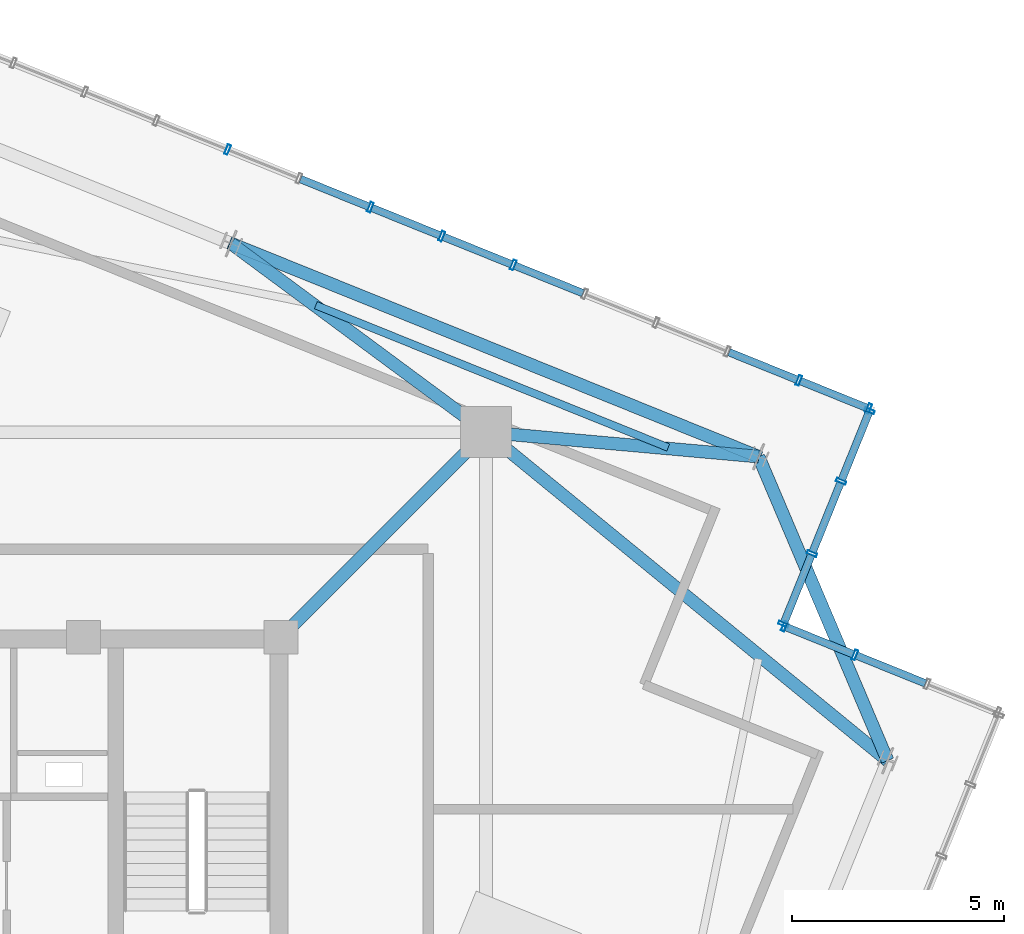
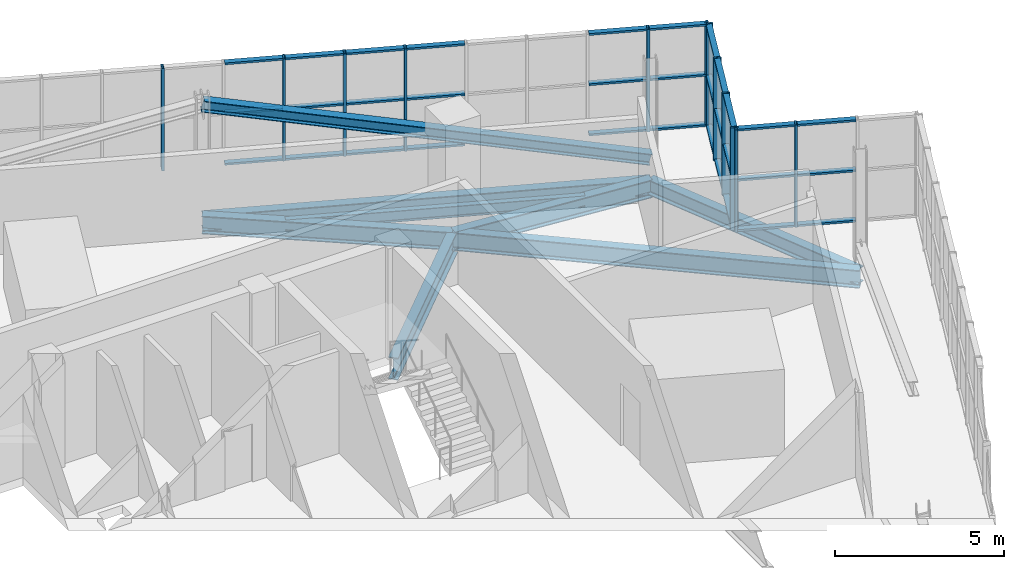
# One storey, part 16 of 26: 46 members, 7 beams, 3 elements without a shape of their own.
"""IFC4 building model written with IfcOpenShell, lengths in metres."""

from ifc_helpers import new_model, si_unit, direction, frame, origin, origin_2d, place, context, subcontext, project, spatial, hollow_rectangle, i_section, extrude, source, transform, mapped, material, layer, layer_set, material_profile, profile_set, type_object, element, aggregate, save


model = new_model("IFC4")

# Units and contexts
model_context = context("Model", 3, precision=1e-05, world=origin(), true_north=direction((0.0, 1.0)))
body_context = subcontext(model_context, "Body", "Model", "MODEL_VIEW")
ifc_project = project(units=[si_unit("LENGTHUNIT", "METRE"), si_unit("AREAUNIT", "SQUARE_METRE"), si_unit("VOLUMEUNIT", "CUBIC_METRE"), si_unit("PLANEANGLEUNIT", "RADIAN"), si_unit("MASSUNIT", "GRAM", prefix="KILO"), si_unit("THERMODYNAMICTEMPERATUREUNIT", "KELVIN")], contexts=[model_context])

# Site, building, storey
site_placement = place(None, origin())
site = spatial("IfcSite", under=ifc_project, at=site_placement, CompositionType="ELEMENT")
building_placement = place(site_placement, origin())
building = spatial("IfcBuilding", under=site, at=building_placement, Name="Kosmvard Interchange Tower", CompositionType="ELEMENT")
storey_placement = place(building_placement, frame((0.0, 0.0, 337.60009765625)))
storey = spatial("IfcBuildingStorey", under=building, at=storey_placement, Name="L83", CompositionType="ELEMENT", Elevation=337.60009765625)

# Beam
ifc_material_1 = material(Name="Steel S355", Category="steel")
ifc_material_profile_1 = material_profile(ifc_material_1, i_section(OverallWidth=0.300048828125, OverallDepth=0.800048828125, WebThickness=0.017578125, FlangeThickness=0.032958984375, FilletRadius=0.027099609375, at=origin_2d()), Name="HEB 800")
ifc_profile_set_1 = profile_set([ifc_material_profile_1], Name="Steel S355")
beam_type_1 = type_object("IfcBeamType", Name="Primary Mega-Frame Girder HEB 800 S355", PredefinedType="BEAM", material=ifc_profile_set_1)
shared_shape_1 = source(origin(), body_context, "Body", "SweptSolid", [
    extrude(i_section(OverallWidth=0.300048828125, OverallDepth=0.800048828125, WebThickness=0.017578125, FlangeThickness=0.032958984375, FilletRadius=0.027099609375, at=origin_2d()), origin(), (0.0, 0.0, 1.0), 6.83203125),
])
beam_1_placement = place(storey_placement, frame((8.25, 8.25, -0.7001953125), z_axis=(0.707106781187, 0.707106781187, 0.0), x_axis=(-0.707106781187, 0.707106781187, 0.0)))
element("IfcBeam", 1, at=beam_1_placement, inside=storey, type_object=beam_type_1, Name="L83 Radial Mega-Frame Girder 3", PredefinedType="BEAM", context=body_context, shape_type="MappedRepresentation", body=[
    mapped(shared_shape_1, transform((0.0, 0.0, 0.0), scale=1.0)),
])

# Member
ifc_material_profile_2 = material_profile(ifc_material_1, i_section(OverallWidth=0.300048828125, OverallDepth=0.39990234375, WebThickness=0.013427734375, FlangeThickness=0.02392578125, FilletRadius=0.027099609375, at=origin_2d()), Name="HEB 400")
ifc_profile_set_2 = profile_set([ifc_material_profile_2], Name="Steel S355")
member_type_1 = type_object("IfcMemberType", Name="Lantern Crown Diagrid Brace HEB 400 S355", PredefinedType="BRACE", material=ifc_profile_set_2)
shared_shape_2 = source(origin(), body_context, "Body", "SweptSolid", [
    extrude(i_section(OverallWidth=0.300048828125, OverallDepth=0.39990234375, WebThickness=0.013427734375, FlangeThickness=0.02392578125, FilletRadius=0.027099609375, at=origin_2d()), origin(), (0.0, 0.0, 1.0), 13.78369140625),
])
member_1_placement = place(storey_placement, frame((19.50439453125, 12.504150390625, 0.419921875), z_axis=(-0.901373372792, 0.364162635972, 0.234332279859), x_axis=(-0.374592580972, -0.927189515839, 0.0)))
element("IfcMember", 2, at=member_1_placement, inside=storey, type_object=member_type_1, Name="L83 Crown Lantern Diagrid Brace E1", PredefinedType="BRACE", context=body_context, shape_type="MappedRepresentation", body=[
    mapped(shared_shape_2, transform((0.0, 0.0, 0.0), scale=1.0)),
])

# Beams
ifc_material_profile_3 = material_profile(ifc_material_1, i_section(OverallWidth=0.300048828125, OverallDepth=0.550048828125, WebThickness=0.014892578125, FlangeThickness=0.029052734375, FilletRadius=0.027099609375, at=origin_2d()), Name="HEB 550")
ifc_profile_set_3 = profile_set([ifc_material_profile_3], Name="Steel S355")
beam_type_2 = type_object("IfcBeamType", Name="Crown Ring Cap Girder HEB 550 S355", PredefinedType="BEAM", material=ifc_profile_set_3)
shared_shape_3 = source(origin(), body_context, "Body", "SweptSolid", [
    extrude(i_section(OverallWidth=0.300048828125, OverallDepth=0.550048828125, WebThickness=0.014892578125, FlangeThickness=0.029052734375, FilletRadius=0.027099609375, at=origin_2d()), origin(), (0.0, 0.0, 1.0), 13.39990234375),
])
beam_2_placement = place(storey_placement, frame((19.50439453125, 12.504150390625, -0.5751953125), z_axis=(-0.927189515839, 0.374592580972, 0.0), x_axis=(-0.374592580972, -0.927189515839, 0.0)))
element("IfcBeam", 3, at=beam_2_placement, inside=storey, type_object=beam_type_2, Name="BM-L83-PR04", PredefinedType="BEAM", context=body_context, shape_type="MappedRepresentation", body=[
    mapped(shared_shape_3, transform((0.0, 0.0, 0.0), scale=1.0)),
])
ifc_material_profile_4 = material_profile(ifc_material_1, i_section(OverallWidth=0.300048828125, OverallDepth=0.64990234375, WebThickness=0.01611328125, FlangeThickness=0.031005859375, FilletRadius=0.027099609375, at=origin_2d()), Name="HEB 650")
ifc_profile_set_4 = profile_set([ifc_material_profile_4], Name="Steel S355")
beam_type_3 = type_object("IfcBeamType", Name="Primary Floor Girder HEB 650 S355", PredefinedType="BEAM", material=ifc_profile_set_4)
shared_shape_4 = source(origin(), body_context, "Body", "SweptSolid", [
    extrude(i_section(OverallWidth=0.300048828125, OverallDepth=0.64990234375, WebThickness=0.01611328125, FlangeThickness=0.031005859375, FilletRadius=0.027099609375, at=origin_2d()), origin(), (0.0, 0.0, 1.0), 6.44921875),
])
beam_3_placement = place(storey_placement, frame((13.0810546875, 13.0810546875, -0.625), z_axis=(0.995990982197, -0.089453694068, 0.0), x_axis=(0.089453694068, 0.995990982197, 0.0)))
element("IfcBeam", 4, at=beam_3_placement, inside=storey, type_object=beam_type_3, Name="BM-L83-RD04", PredefinedType="BEAM", context=body_context, shape_type="MappedRepresentation", body=[
    mapped(shared_shape_4, transform((0.0, 0.0, 0.0), scale=1.0)),
])
shared_shape_5 = source(origin(), body_context, "Body", "SweptSolid", [
    extrude(i_section(OverallWidth=0.300048828125, OverallDepth=0.64990234375, WebThickness=0.01611328125, FlangeThickness=0.031005859375, FilletRadius=0.027099609375, at=origin_2d()), origin(), (0.0, 0.0, 1.0), 7.466552734375),
])
beam_4_placement = place(storey_placement, frame((13.0810546875, 13.0810546875, -0.625), z_axis=(-0.803719929879, 0.595007793491, 0.0), x_axis=(-0.595007793491, -0.803719929879, 0.0)))
element("IfcBeam", 5, at=beam_4_placement, inside=storey, type_object=beam_type_3, Name="BM-L83-RD05", PredefinedType="BEAM", context=body_context, shape_type="MappedRepresentation", body=[
    mapped(shared_shape_5, transform((0.0, 0.0, 0.0), scale=1.0)),
])
shared_shape_6 = source(origin(), body_context, "Body", "SweptSolid", [
    extrude(i_section(OverallWidth=0.300048828125, OverallDepth=0.550048828125, WebThickness=0.014892578125, FlangeThickness=0.029052734375, FilletRadius=0.027099609375, at=origin_2d()), origin(), (0.0, 0.0, 1.0), 7.778076171875),
])
beam_5_placement = place(storey_placement, frame((22.54345703125, 5.34423828125, -0.5751953125), z_axis=(-0.39071589075, 0.92051132134, 0.0), x_axis=(-0.92051132134, -0.39071589075, 0.0)))
element("IfcBeam", 6, at=beam_5_placement, inside=storey, type_object=beam_type_2, Name="BM-L83-PR03", PredefinedType="BEAM", context=body_context, shape_type="MappedRepresentation", body=[
    mapped(shared_shape_6, transform((0.0, 0.0, 0.0), scale=1.0)),
])
shared_shape_7 = source(origin(), body_context, "Body", "SweptSolid", [
    extrude(i_section(OverallWidth=0.300048828125, OverallDepth=0.64990234375, WebThickness=0.01611328125, FlangeThickness=0.031005859375, FilletRadius=0.027099609375, at=origin_2d()), origin(), (0.0, 0.0, 1.0), 12.22265625),
])
beam_6_placement = place(storey_placement, frame((13.0810546875, 13.0810546875, -0.625), z_axis=(0.774163725034, -0.632985408079, 0.0), x_axis=(0.632985408079, 0.774163725034, 0.0)))
element("IfcBeam", 7, at=beam_6_placement, inside=storey, type_object=beam_type_3, Name="BM-L83-RD03", PredefinedType="BEAM", context=body_context, shape_type="MappedRepresentation", body=[
    mapped(shared_shape_7, transform((0.0, 0.0, 0.0), scale=1.0)),
])
ifc_material_profile_5 = material_profile(ifc_material_1, i_section(OverallWidth=0.179931640625, OverallDepth=0.39990234375, WebThickness=0.008544921875, FlangeThickness=0.013427734375, FilletRadius=0.02099609375, at=origin_2d()), Name="IPE 400")
ifc_profile_set_5 = profile_set([ifc_material_profile_5], Name="Steel S355")
beam_type_4 = type_object("IfcBeamType", Name="Upper-Zone Floor Joist IPE 400 S355", PredefinedType="JOIST", material=ifc_profile_set_5)
shared_shape_8 = source(origin(), body_context, "Body", "SweptSolid", [
    extrude(i_section(OverallWidth=0.179931640625, OverallDepth=0.39990234375, WebThickness=0.008544921875, FlangeThickness=0.013427734375, FilletRadius=0.02099609375, at=origin_2d()), origin(), (0.0, 0.0, 1.0), 8.9521484375),
])
beam_7_placement = place(storey_placement, frame((17.374755859375, 12.71875, -0.5), z_axis=(-0.927194118723, 0.374581187736, 0.0), x_axis=(-0.374581187736, -0.927194118723, 0.0)))
element("IfcBeam", 8, at=beam_7_placement, inside=storey, type_object=beam_type_4, Name="BM-L83-FJ03", PredefinedType="JOIST", context=body_context, shape_type="MappedRepresentation", body=[
    mapped(shared_shape_8, transform((0.0, 0.0, 0.0), scale=1.0)),
])

# Curtain wall, members
ifc_material_2 = material(Name="Architectural anodised aluminium", Category="aluminium")
ifc_layer = layer(ifc_material_2, 0.25, Name="Architectural anodised aluminium")
ifc_layer_set = layer_set([ifc_layer], Name="Architectural anodised aluminium")
curtain_wall_type = type_object("IfcCurtainWallType", Name="CW-6 Illuminated Crown Lantern Curtain Wall", PredefinedType="NOTDEFINED", material=ifc_layer_set)
curtain_wall_1_placement = place(storey_placement, origin())
curtain_wall_1 = element("IfcCurtainWall", 9, at=curtain_wall_1_placement, inside=storey, type_object=curtain_wall_type, Name="L83 Crown Lantern Glazing Face 02", PredefinedType="NOTDEFINED")
ifc_material_profile_6 = material_profile(ifc_material_2, hollow_rectangle(XDim=0.239990234375, YDim=0.080078125, WallThickness=0.006103515625, at=origin_2d()), Name="CWM 240x80x6")
ifc_profile_set_6 = profile_set([ifc_material_profile_6], Name="Architectural anodised aluminium")
member_type_2 = type_object("IfcMemberType", Name="Lantern & Observation CW Mullion 240x80 Aluminium", PredefinedType="MULLION", material=ifc_profile_set_6)
shared_shape_9 = source(origin(), body_context, "Body", "SweptSolid", [
    extrude(hollow_rectangle(XDim=0.239990234375, YDim=0.080078125, WallThickness=0.006103515625, at=origin_2d()), origin(), (0.0, 0.0, 1.0), 3.699951171875),
])
member_2_placement = place(storey_placement, frame((21.7734375, 7.833984375, 0.0), z_axis=(0.0, 0.0, 1.0), x_axis=(-0.374606564822, -0.92718386612, 0.0)))
member_2 = element("IfcMember", 10, at=member_2_placement, type_object=member_type_2, Name="CW-6 mullion 3", PredefinedType="MULLION", context=body_context, shape_type="MappedRepresentation", body=[
    mapped(shared_shape_9, transform((0.0, 0.0, 0.0), scale=1.0)),
])
member_3_placement = place(storey_placement, frame((20.110595703125, 8.505859375, 0.0), z_axis=(0.0, 0.0, 1.0), x_axis=(-0.374606564822, -0.92718386612, 0.0)))
member_3 = element("IfcMember", 11, at=member_3_placement, type_object=member_type_2, Name="CW-6 mullion 4", PredefinedType="MULLION", context=body_context, shape_type="MappedRepresentation", body=[
    mapped(shared_shape_9, transform((0.0, 0.0, 0.0), scale=1.0)),
])

curtain_wall_2_placement = place(storey_placement, origin())
curtain_wall_2 = element("IfcCurtainWall", 12, at=curtain_wall_2_placement, inside=storey, type_object=curtain_wall_type, Name="L83 Crown Lantern Glazing Face 03", PredefinedType="NOTDEFINED")
member_4_placement = place(storey_placement, frame((20.088623046875, 8.557861328125, 0.0), z_axis=(0.0, 0.0, 1.0), x_axis=(-0.927183891631, 0.374606501678, 0.0)))
member_4 = element("IfcMember", 13, at=member_4_placement, type_object=member_type_2, Name="CW-6 mullion 1", PredefinedType="MULLION", context=body_context, shape_type="MappedRepresentation", body=[
    mapped(shared_shape_9, transform((0.0, 0.0, 0.0), scale=1.0)),
])
member_5_placement = place(storey_placement, frame((20.760498046875, 10.220458984375, 0.0), z_axis=(0.0, 0.0, 1.0), x_axis=(-0.927183891631, 0.374606501678, 0.0)))
member_5 = element("IfcMember", 14, at=member_5_placement, type_object=member_type_2, Name="CW-6 mullion 2", PredefinedType="MULLION", context=body_context, shape_type="MappedRepresentation", body=[
    mapped(shared_shape_9, transform((0.0, 0.0, 0.0), scale=1.0)),
])
member_6_placement = place(storey_placement, frame((21.447265625, 11.92041015625, 0.0), z_axis=(0.0, 0.0, 1.0), x_axis=(-0.927183891631, 0.374606501678, 0.0)))
member_6 = element("IfcMember", 15, at=member_6_placement, type_object=member_type_2, Name="CW-6 mullion 3", PredefinedType="MULLION", context=body_context, shape_type="MappedRepresentation", body=[
    mapped(shared_shape_9, transform((0.0, 0.0, 0.0), scale=1.0)),
])
member_7_placement = place(storey_placement, frame((22.118896484375, 13.583251953125, 0.0), z_axis=(0.0, 0.0, 1.0), x_axis=(-0.927183891631, 0.374606501678, 0.0)))
member_7 = element("IfcMember", 16, at=member_7_placement, type_object=member_type_2, Name="CW-6 mullion 4", PredefinedType="MULLION", context=body_context, shape_type="MappedRepresentation", body=[
    mapped(shared_shape_9, transform((0.0, 0.0, 0.0), scale=1.0)),
])

curtain_wall_3_placement = place(storey_placement, origin())
curtain_wall_3 = element("IfcCurtainWall", 17, at=curtain_wall_3_placement, inside=storey, type_object=curtain_wall_type, Name="L83 Crown Lantern Glazing Face 04", PredefinedType="NOTDEFINED")
member_8_placement = place(storey_placement, frame((22.096923828125, 13.63525390625, 0.0), z_axis=(0.0, 0.0, 1.0), x_axis=(-0.374606584758, -0.927183858065, 0.0)))
member_8 = element("IfcMember", 18, at=member_8_placement, type_object=member_type_2, Name="CW-6 mullion 1", PredefinedType="MULLION", context=body_context, shape_type="MappedRepresentation", body=[
    mapped(shared_shape_9, transform((0.0, 0.0, 0.0), scale=1.0)),
])
member_9_placement = place(storey_placement, frame((20.451904296875, 14.2998046875, 0.0), z_axis=(0.0, 0.0, 1.0), x_axis=(-0.374606584758, -0.927183858065, 0.0)))
member_9 = element("IfcMember", 19, at=member_9_placement, type_object=member_type_2, Name="CW-6 mullion 2", PredefinedType="MULLION", context=body_context, shape_type="MappedRepresentation", body=[
    mapped(shared_shape_9, transform((0.0, 0.0, 0.0), scale=1.0)),
])
member_10_placement = place(storey_placement, frame((13.723876953125, 17.01806640625, 0.0), z_axis=(0.0, 0.0, 1.0), x_axis=(-0.374606584758, -0.927183858065, 0.0)))
member_10 = element("IfcMember", 20, at=member_10_placement, type_object=member_type_2, Name="CW-6 mullion 6", PredefinedType="MULLION", context=body_context, shape_type="MappedRepresentation", body=[
    mapped(shared_shape_9, transform((0.0, 0.0, 0.0), scale=1.0)),
])
member_11_placement = place(storey_placement, frame((12.041748046875, 17.69775390625, 0.0), z_axis=(0.0, 0.0, 1.0), x_axis=(-0.374606584758, -0.927183858065, 0.0)))
member_11 = element("IfcMember", 21, at=member_11_placement, type_object=member_type_2, Name="CW-6 mullion 7", PredefinedType="MULLION", context=body_context, shape_type="MappedRepresentation", body=[
    mapped(shared_shape_9, transform((0.0, 0.0, 0.0), scale=1.0)),
])
member_12_placement = place(storey_placement, frame((10.35986328125, 18.377197265625, 0.0), z_axis=(0.0, 0.0, 1.0), x_axis=(-0.374606584758, -0.927183858065, 0.0)))
member_12 = element("IfcMember", 22, at=member_12_placement, type_object=member_type_2, Name="CW-6 mullion 8", PredefinedType="MULLION", context=body_context, shape_type="MappedRepresentation", body=[
    mapped(shared_shape_9, transform((0.0, 0.0, 0.0), scale=1.0)),
])
member_13_placement = place(storey_placement, frame((6.995849609375, 19.736572265625, 0.0), z_axis=(0.0, 0.0, 1.0), x_axis=(-0.374606584758, -0.927183858065, 0.0)))
member_13 = element("IfcMember", 23, at=member_13_placement, type_object=member_type_2, Name="CW-6 mullion 10", PredefinedType="MULLION", context=body_context, shape_type="MappedRepresentation", body=[
    mapped(shared_shape_9, transform((0.0, 0.0, 0.0), scale=1.0)),
])
ifc_material_profile_7 = material_profile(ifc_material_2, hollow_rectangle(XDim=0.179931640625, YDim=0.070068359375, WallThickness=0.0048828125, at=origin_2d()), Name="CWT 180x70x5")
ifc_profile_set_7 = profile_set([ifc_material_profile_7], Name="Architectural anodised aluminium")
member_type_3 = type_object("IfcMemberType", Name="Heavy Lantern CW Transom 180x70 Aluminium", PredefinedType="USERDEFINED", material=ifc_profile_set_7)
shared_shape_10 = source(origin(), body_context, "Body", "SweptSolid", [
    extrude(hollow_rectangle(XDim=0.179931640625, YDim=0.070068359375, WallThickness=0.0048828125, at=origin_2d()), origin(), (0.0, 0.0, 1.0), 1.694091796875),
])
member_14_placement = place(storey_placement, frame((22.059814453125, 13.650146484375, 0.034912109375), z_axis=(-0.927159064032, 0.374667946298, 0.0), x_axis=(-0.374667946298, -0.927159064032, 0.0)))
member_14 = element("IfcMember", 24, at=member_14_placement, type_object=member_type_3, Name="CW-6 transom 1.1", ObjectType="TRANSOM", PredefinedType="USERDEFINED", context=body_context, shape_type="MappedRepresentation", body=[
    mapped(shared_shape_10, transform((0.0, 0.0, 0.0), scale=1.0)),
])
member_15_placement = place(storey_placement, frame((22.059814453125, 13.650146484375, 1.849853515625), z_axis=(-0.927159064032, 0.374667946298, 0.0), x_axis=(-0.374667946298, -0.927159064032, 0.0)))
member_15 = element("IfcMember", 25, at=member_15_placement, type_object=member_type_3, Name="CW-6 transom 1.2", ObjectType="TRANSOM", PredefinedType="USERDEFINED", context=body_context, shape_type="MappedRepresentation", body=[
    mapped(shared_shape_10, transform((0.0, 0.0, 0.0), scale=1.0)),
])
member_16_placement = place(storey_placement, frame((22.059814453125, 13.650146484375, 3.664794921875), z_axis=(-0.927159064032, 0.374667946298, 0.0), x_axis=(-0.374667946298, -0.927159064032, 0.0)))
member_16 = element("IfcMember", 26, at=member_16_placement, type_object=member_type_3, Name="CW-6 transom 1.3", ObjectType="TRANSOM", PredefinedType="USERDEFINED", context=body_context, shape_type="MappedRepresentation", body=[
    mapped(shared_shape_10, transform((0.0, 0.0, 0.0), scale=1.0)),
])
shared_shape_11 = source(origin(), body_context, "Body", "SweptSolid", [
    extrude(hollow_rectangle(XDim=0.179931640625, YDim=0.070068359375, WallThickness=0.0048828125, at=origin_2d()), origin(), (0.0, 0.0, 1.0), 1.734130859375),
])
member_17_placement = place(storey_placement, frame((20.414794921875, 14.314697265625, 0.034912109375), z_axis=(-0.927179782522, 0.374616671924, 0.0), x_axis=(-0.374616671924, -0.927179782522, 0.0)))
member_17 = element("IfcMember", 27, at=member_17_placement, type_object=member_type_3, Name="CW-6 transom 2.1", ObjectType="TRANSOM", PredefinedType="USERDEFINED", context=body_context, shape_type="MappedRepresentation", body=[
    mapped(shared_shape_11, transform((0.0, 0.0, 0.0), scale=1.0)),
])
member_18_placement = place(storey_placement, frame((20.414794921875, 14.314697265625, 1.849853515625), z_axis=(-0.927179782522, 0.374616671924, 0.0), x_axis=(-0.374616671924, -0.927179782522, 0.0)))
member_18 = element("IfcMember", 28, at=member_18_placement, type_object=member_type_3, Name="CW-6 transom 2.2", ObjectType="TRANSOM", PredefinedType="USERDEFINED", context=body_context, shape_type="MappedRepresentation", body=[
    mapped(shared_shape_11, transform((0.0, 0.0, 0.0), scale=1.0)),
])
member_19_placement = place(storey_placement, frame((20.414794921875, 14.314697265625, 3.664794921875), z_axis=(-0.927179782522, 0.374616671924, 0.0), x_axis=(-0.374616671924, -0.927179782522, 0.0)))
member_19 = element("IfcMember", 29, at=member_19_placement, type_object=member_type_3, Name="CW-6 transom 2.3", ObjectType="TRANSOM", PredefinedType="USERDEFINED", context=body_context, shape_type="MappedRepresentation", body=[
    mapped(shared_shape_11, transform((0.0, 0.0, 0.0), scale=1.0)),
])
member_20_placement = place(storey_placement, frame((15.368896484375, 16.353515625, 0.034912109375), z_axis=(-0.927179782522, 0.374616671924, 0.0), x_axis=(-0.374616671924, -0.927179782522, 0.0)))
member_20 = element("IfcMember", 30, at=member_20_placement, type_object=member_type_3, Name="CW-6 transom 5.1", ObjectType="TRANSOM", PredefinedType="USERDEFINED", context=body_context, shape_type="MappedRepresentation", body=[
    mapped(shared_shape_11, transform((0.0, 0.0, 0.0), scale=1.0)),
])
member_21_placement = place(storey_placement, frame((15.368896484375, 16.353515625, 1.849853515625), z_axis=(-0.927179782522, 0.374616671924, 0.0), x_axis=(-0.374616671924, -0.927179782522, 0.0)))
member_21 = element("IfcMember", 31, at=member_21_placement, type_object=member_type_3, Name="CW-6 transom 5.2", ObjectType="TRANSOM", PredefinedType="USERDEFINED", context=body_context, shape_type="MappedRepresentation", body=[
    mapped(shared_shape_11, transform((0.0, 0.0, 0.0), scale=1.0)),
])
member_22_placement = place(storey_placement, frame((15.368896484375, 16.353515625, 3.664794921875), z_axis=(-0.927179782522, 0.374616671924, 0.0), x_axis=(-0.374616671924, -0.927179782522, 0.0)))
member_22 = element("IfcMember", 32, at=member_22_placement, type_object=member_type_3, Name="CW-6 transom 5.3", ObjectType="TRANSOM", PredefinedType="USERDEFINED", context=body_context, shape_type="MappedRepresentation", body=[
    mapped(shared_shape_11, transform((0.0, 0.0, 0.0), scale=1.0)),
])
member_23_placement = place(storey_placement, frame((13.686767578125, 17.033203125, 0.034912109375), z_axis=(-0.927179782522, 0.374616671924, 0.0), x_axis=(-0.374616671924, -0.927179782522, 0.0)))
member_23 = element("IfcMember", 33, at=member_23_placement, type_object=member_type_3, Name="CW-6 transom 6.1", ObjectType="TRANSOM", PredefinedType="USERDEFINED", context=body_context, shape_type="MappedRepresentation", body=[
    mapped(shared_shape_11, transform((0.0, 0.0, 0.0), scale=1.0)),
])
member_24_placement = place(storey_placement, frame((13.686767578125, 17.033203125, 1.849853515625), z_axis=(-0.927179782522, 0.374616671924, 0.0), x_axis=(-0.374616671924, -0.927179782522, 0.0)))
member_24 = element("IfcMember", 34, at=member_24_placement, type_object=member_type_3, Name="CW-6 transom 6.2", ObjectType="TRANSOM", PredefinedType="USERDEFINED", context=body_context, shape_type="MappedRepresentation", body=[
    mapped(shared_shape_11, transform((0.0, 0.0, 0.0), scale=1.0)),
])
member_25_placement = place(storey_placement, frame((13.686767578125, 17.033203125, 3.664794921875), z_axis=(-0.927179782522, 0.374616671924, 0.0), x_axis=(-0.374616671924, -0.927179782522, 0.0)))
member_25 = element("IfcMember", 35, at=member_25_placement, type_object=member_type_3, Name="CW-6 transom 6.3", ObjectType="TRANSOM", PredefinedType="USERDEFINED", context=body_context, shape_type="MappedRepresentation", body=[
    mapped(shared_shape_11, transform((0.0, 0.0, 0.0), scale=1.0)),
])
member_26_placement = place(storey_placement, frame((10.32275390625, 18.392333984375, 0.034912109375), z_axis=(-0.927179782522, 0.374616671924, 0.0), x_axis=(-0.374616671924, -0.927179782522, 0.0)))
member_26 = element("IfcMember", 36, at=member_26_placement, type_object=member_type_3, Name="CW-6 transom 8.1", ObjectType="TRANSOM", PredefinedType="USERDEFINED", context=body_context, shape_type="MappedRepresentation", body=[
    mapped(shared_shape_11, transform((0.0, 0.0, 0.0), scale=1.0)),
])
member_27_placement = place(storey_placement, frame((10.32275390625, 18.392333984375, 1.849853515625), z_axis=(-0.927179782522, 0.374616671924, 0.0), x_axis=(-0.374616671924, -0.927179782522, 0.0)))
member_27 = element("IfcMember", 37, at=member_27_placement, type_object=member_type_3, Name="CW-6 transom 8.2", ObjectType="TRANSOM", PredefinedType="USERDEFINED", context=body_context, shape_type="MappedRepresentation", body=[
    mapped(shared_shape_11, transform((0.0, 0.0, 0.0), scale=1.0)),
])
member_28_placement = place(storey_placement, frame((10.32275390625, 18.392333984375, 3.664794921875), z_axis=(-0.927179782522, 0.374616671924, 0.0), x_axis=(-0.374616671924, -0.927179782522, 0.0)))
member_28 = element("IfcMember", 38, at=member_28_placement, type_object=member_type_3, Name="CW-6 transom 8.3", ObjectType="TRANSOM", PredefinedType="USERDEFINED", context=body_context, shape_type="MappedRepresentation", body=[
    mapped(shared_shape_11, transform((0.0, 0.0, 0.0), scale=1.0)),
])
shared_shape_12 = source(origin(), body_context, "Body", "SweptSolid", [
    extrude(hollow_rectangle(XDim=0.179931640625, YDim=0.070068359375, WallThickness=0.0048828125, at=origin_2d()), origin(), (0.0, 0.0, 1.0), 1.73388671875),
])
member_29_placement = place(storey_placement, frame((12.004638671875, 17.712646484375, 0.034912109375), z_axis=(-0.927160021861, 0.374665576032, 0.0), x_axis=(-0.374665576032, -0.927160021861, 0.0)))
member_29 = element("IfcMember", 39, at=member_29_placement, type_object=member_type_3, Name="CW-6 transom 7.1", ObjectType="TRANSOM", PredefinedType="USERDEFINED", context=body_context, shape_type="MappedRepresentation", body=[
    mapped(shared_shape_12, transform((0.0, 0.0, 0.0), scale=1.0)),
])
member_30_placement = place(storey_placement, frame((12.004638671875, 17.712646484375, 1.849853515625), z_axis=(-0.927160021861, 0.374665576032, 0.0), x_axis=(-0.374665576032, -0.927160021861, 0.0)))
member_30 = element("IfcMember", 40, at=member_30_placement, type_object=member_type_3, Name="CW-6 transom 7.2", ObjectType="TRANSOM", PredefinedType="USERDEFINED", context=body_context, shape_type="MappedRepresentation", body=[
    mapped(shared_shape_12, transform((0.0, 0.0, 0.0), scale=1.0)),
])
member_31_placement = place(storey_placement, frame((12.004638671875, 17.712646484375, 3.664794921875), z_axis=(-0.927160021861, 0.374665576032, 0.0), x_axis=(-0.374665576032, -0.927160021861, 0.0)))
member_31 = element("IfcMember", 41, at=member_31_placement, type_object=member_type_3, Name="CW-6 transom 7.3", ObjectType="TRANSOM", PredefinedType="USERDEFINED", context=body_context, shape_type="MappedRepresentation", body=[
    mapped(shared_shape_12, transform((0.0, 0.0, 0.0), scale=1.0)),
])
aggregate(curtain_wall_3, [member_8, member_9, member_10, member_11, member_12, member_13, member_14, member_15, member_16, member_17, member_18, member_19, member_20, member_21, member_22, member_23, member_24, member_25, member_29, member_30, member_31, member_26, member_27, member_28])

# Member
shared_shape_13 = source(origin(), body_context, "Body", "SweptSolid", [
    extrude(hollow_rectangle(XDim=0.179931640625, YDim=0.070068359375, WallThickness=0.0048828125, at=origin_2d()), origin(), (0.0, 0.0, 1.0), 1.71337890625),
])
member_32_placement = place(storey_placement, frame((21.736328125, 7.848876953125, 0.034912109375), z_axis=(-0.927183787829, 0.374606758599, 0.0), x_axis=(-0.374606758599, -0.927183787829, 0.0)))
member_32 = element("IfcMember", 42, at=member_32_placement, type_object=member_type_3, Name="CW-6 transom 3.1", ObjectType="TRANSOM", PredefinedType="USERDEFINED", context=body_context, shape_type="MappedRepresentation", body=[
    mapped(shared_shape_13, transform((0.0, 0.0, 0.0), scale=1.0)),
])

member_33_placement = place(storey_placement, frame((21.736328125, 7.848876953125, 1.849853515625), z_axis=(-0.927183787829, 0.374606758599, 0.0), x_axis=(-0.374606758599, -0.927183787829, 0.0)))
member_33 = element("IfcMember", 43, at=member_33_placement, type_object=member_type_3, Name="CW-6 transom 3.2", ObjectType="TRANSOM", PredefinedType="USERDEFINED", context=body_context, shape_type="MappedRepresentation", body=[
    mapped(shared_shape_13, transform((0.0, 0.0, 0.0), scale=1.0)),
])

member_34_placement = place(storey_placement, frame((21.736328125, 7.848876953125, 3.664794921875), z_axis=(-0.927183787829, 0.374606758599, 0.0), x_axis=(-0.374606758599, -0.927183787829, 0.0)))
member_34 = element("IfcMember", 44, at=member_34_placement, type_object=member_type_3, Name="CW-6 transom 3.3", ObjectType="TRANSOM", PredefinedType="USERDEFINED", context=body_context, shape_type="MappedRepresentation", body=[
    mapped(shared_shape_13, transform((0.0, 0.0, 0.0), scale=1.0)),
])

member_35_placement = place(storey_placement, frame((20.103515625, 8.594970703125, 0.034912109375), z_axis=(0.374606758599, 0.927183787829, 0.0), x_axis=(-0.927183787829, 0.374606758599, 0.0)))
member_35 = element("IfcMember", 45, at=member_35_placement, type_object=member_type_3, Name="CW-6 transom 1.1", ObjectType="TRANSOM", PredefinedType="USERDEFINED", context=body_context, shape_type="MappedRepresentation", body=[
    mapped(shared_shape_13, transform((0.0, 0.0, 0.0), scale=1.0)),
])

member_36_placement = place(storey_placement, frame((20.103515625, 8.594970703125, 1.849853515625), z_axis=(0.374606758599, 0.927183787829, 0.0), x_axis=(-0.927183787829, 0.374606758599, 0.0)))
member_36 = element("IfcMember", 46, at=member_36_placement, type_object=member_type_3, Name="CW-6 transom 1.2", ObjectType="TRANSOM", PredefinedType="USERDEFINED", context=body_context, shape_type="MappedRepresentation", body=[
    mapped(shared_shape_13, transform((0.0, 0.0, 0.0), scale=1.0)),
])

member_37_placement = place(storey_placement, frame((20.103515625, 8.594970703125, 3.664794921875), z_axis=(0.374606758599, 0.927183787829, 0.0), x_axis=(-0.927183787829, 0.374606758599, 0.0)))
member_37 = element("IfcMember", 47, at=member_37_placement, type_object=member_type_3, Name="CW-6 transom 1.3", ObjectType="TRANSOM", PredefinedType="USERDEFINED", context=body_context, shape_type="MappedRepresentation", body=[
    mapped(shared_shape_13, transform((0.0, 0.0, 0.0), scale=1.0)),
])

member_38_placement = place(storey_placement, frame((21.462158203125, 11.95751953125, 0.034912109375), z_axis=(0.374606758599, 0.927183787829, 0.0), x_axis=(-0.927183787829, 0.374606758599, 0.0)))
member_38 = element("IfcMember", 48, at=member_38_placement, type_object=member_type_3, Name="CW-6 transom 3.1", ObjectType="TRANSOM", PredefinedType="USERDEFINED", context=body_context, shape_type="MappedRepresentation", body=[
    mapped(shared_shape_13, transform((0.0, 0.0, 0.0), scale=1.0)),
])

member_39_placement = place(storey_placement, frame((21.462158203125, 11.95751953125, 1.849853515625), z_axis=(0.374606758599, 0.927183787829, 0.0), x_axis=(-0.927183787829, 0.374606758599, 0.0)))
member_39 = element("IfcMember", 49, at=member_39_placement, type_object=member_type_3, Name="CW-6 transom 3.2", ObjectType="TRANSOM", PredefinedType="USERDEFINED", context=body_context, shape_type="MappedRepresentation", body=[
    mapped(shared_shape_13, transform((0.0, 0.0, 0.0), scale=1.0)),
])

member_40_placement = place(storey_placement, frame((21.462158203125, 11.95751953125, 3.664794921875), z_axis=(0.374606758599, 0.927183787829, 0.0), x_axis=(-0.927183787829, 0.374606758599, 0.0)))
member_40 = element("IfcMember", 50, at=member_40_placement, type_object=member_type_3, Name="CW-6 transom 3.3", ObjectType="TRANSOM", PredefinedType="USERDEFINED", context=body_context, shape_type="MappedRepresentation", body=[
    mapped(shared_shape_13, transform((0.0, 0.0, 0.0), scale=1.0)),
])

shared_shape_14 = source(origin(), body_context, "Body", "SweptSolid", [
    extrude(hollow_rectangle(XDim=0.179931640625, YDim=0.070068359375, WallThickness=0.0048828125, at=origin_2d()), origin(), (0.0, 0.0, 1.0), 1.75341796875),
])
member_41_placement = place(storey_placement, frame((23.436279296875, 7.162109375, 0.034912109375), z_axis=(-0.927155350429, 0.374677135907, 0.0), x_axis=(-0.374677135907, -0.927155350429, 0.0)))
member_41 = element("IfcMember", 51, at=member_41_placement, type_object=member_type_3, Name="CW-6 transom 2.1", ObjectType="TRANSOM", PredefinedType="USERDEFINED", context=body_context, shape_type="MappedRepresentation", body=[
    mapped(shared_shape_14, transform((0.0, 0.0, 0.0), scale=1.0)),
])

member_42_placement = place(storey_placement, frame((23.436279296875, 7.162109375, 1.849853515625), z_axis=(-0.927155350429, 0.374677135907, 0.0), x_axis=(-0.374677135907, -0.927155350429, 0.0)))
member_42 = element("IfcMember", 52, at=member_42_placement, type_object=member_type_3, Name="CW-6 transom 2.2", ObjectType="TRANSOM", PredefinedType="USERDEFINED", context=body_context, shape_type="MappedRepresentation", body=[
    mapped(shared_shape_14, transform((0.0, 0.0, 0.0), scale=1.0)),
])

member_43_placement = place(storey_placement, frame((23.436279296875, 7.162109375, 3.664794921875), z_axis=(-0.927155350429, 0.374677135907, 0.0), x_axis=(-0.374677135907, -0.927155350429, 0.0)))
member_43 = element("IfcMember", 53, at=member_43_placement, type_object=member_type_3, Name="CW-6 transom 2.3", ObjectType="TRANSOM", PredefinedType="USERDEFINED", context=body_context, shape_type="MappedRepresentation", body=[
    mapped(shared_shape_14, transform((0.0, 0.0, 0.0), scale=1.0)),
])

aggregate(curtain_wall_1, [member_2, member_3, member_41, member_42, member_43, member_32, member_33, member_34])

member_44_placement = place(storey_placement, frame((20.775390625, 10.257568359375, 0.034912109375), z_axis=(0.37455743912, 0.927203712676, 0.0), x_axis=(-0.927203712676, 0.37455743912, 0.0)))
member_44 = element("IfcMember", 54, at=member_44_placement, type_object=member_type_3, Name="CW-6 transom 2.1", ObjectType="TRANSOM", PredefinedType="USERDEFINED", context=body_context, shape_type="MappedRepresentation", body=[
    mapped(shared_shape_14, transform((0.0, 0.0, 0.0), scale=1.0)),
])

member_45_placement = place(storey_placement, frame((20.775390625, 10.257568359375, 1.849853515625), z_axis=(0.37455743912, 0.927203712676, 0.0), x_axis=(-0.927203712676, 0.37455743912, 0.0)))
member_45 = element("IfcMember", 55, at=member_45_placement, type_object=member_type_3, Name="CW-6 transom 2.2", ObjectType="TRANSOM", PredefinedType="USERDEFINED", context=body_context, shape_type="MappedRepresentation", body=[
    mapped(shared_shape_14, transform((0.0, 0.0, 0.0), scale=1.0)),
])

member_46_placement = place(storey_placement, frame((20.775390625, 10.257568359375, 3.664794921875), z_axis=(0.37455743912, 0.927203712676, 0.0), x_axis=(-0.927203712676, 0.37455743912, 0.0)))
member_46 = element("IfcMember", 56, at=member_46_placement, type_object=member_type_3, Name="CW-6 transom 2.3", ObjectType="TRANSOM", PredefinedType="USERDEFINED", context=body_context, shape_type="MappedRepresentation", body=[
    mapped(shared_shape_14, transform((0.0, 0.0, 0.0), scale=1.0)),
])

aggregate(curtain_wall_2, [member_4, member_5, member_6, member_7, member_35, member_36, member_37, member_44, member_45, member_46, member_38, member_39, member_40])

save(model, "model.ifc")
